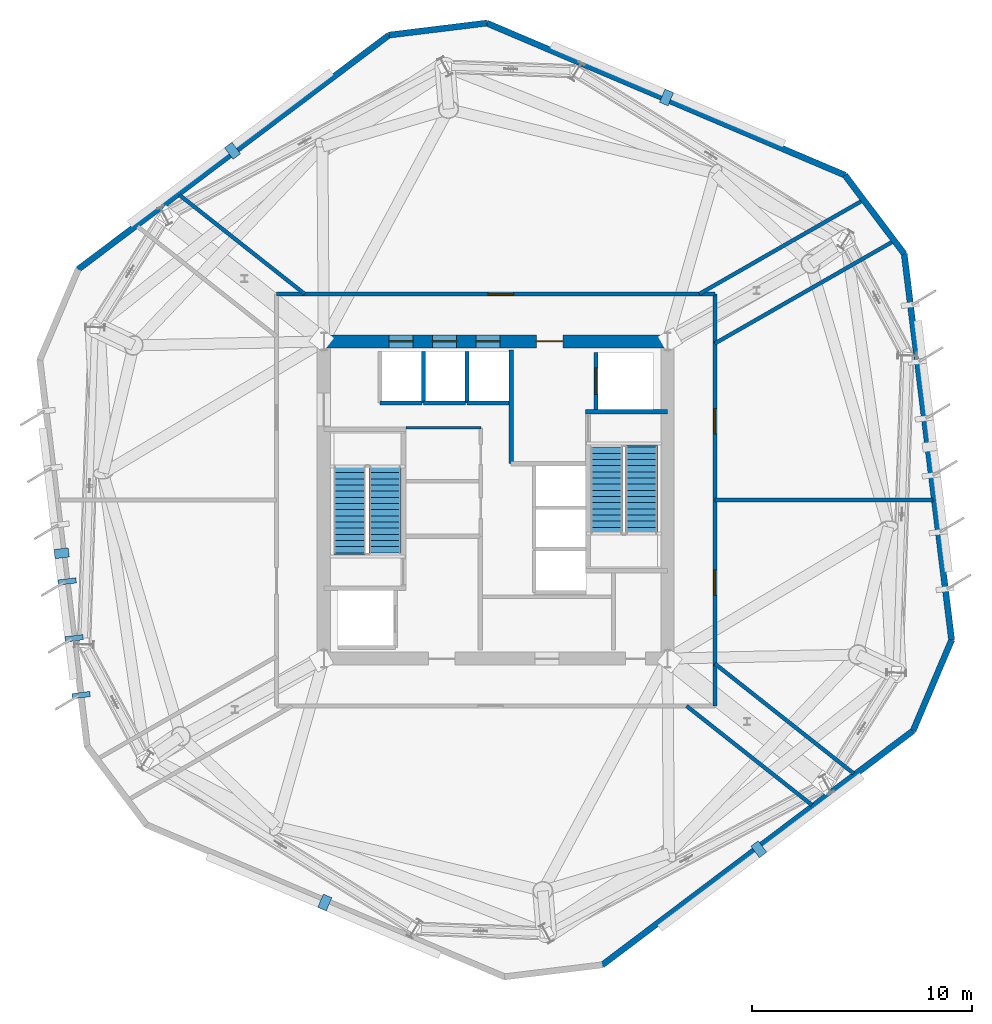
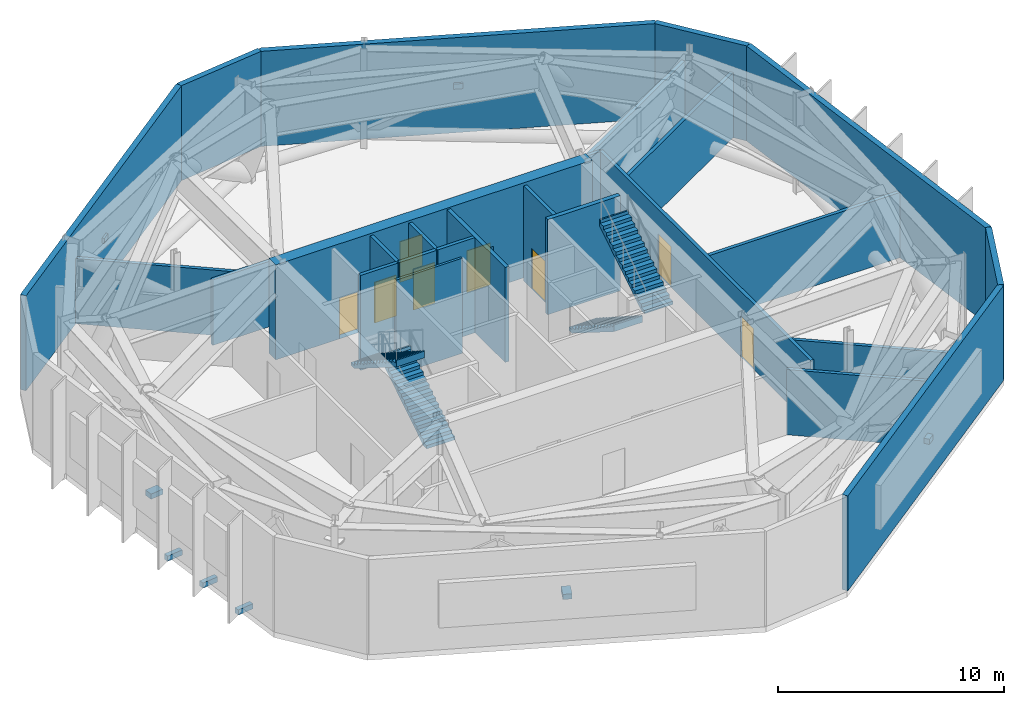
# One storey, part 7 of 11: 25 walls, 8 discrete accessories, 8 doors, 4 stair flights, 8 openings, 2 elements without a shape of their own.
"""IFC4 building model written with IfcOpenShell, lengths in metres."""

from ifc_helpers import new_model, si_unit, direction, frame, frame_2d, origin, origin_2d, place, context, subcontext, project, spatial, polyline, rectangle, outline, extrude, material, layer, layer_set, type_object, element, fill, aggregate, save


model = new_model("IFC4")

# Units and contexts
model_context = context("Model", 3, precision=1e-05, world=origin(), true_north=direction((0.0, 1.0)))
body_context = subcontext(model_context, "Body", "Model", "MODEL_VIEW")
ifc_project = project(units=[si_unit("LENGTHUNIT", "METRE"), si_unit("AREAUNIT", "SQUARE_METRE"), si_unit("VOLUMEUNIT", "CUBIC_METRE"), si_unit("PLANEANGLEUNIT", "RADIAN"), si_unit("MASSUNIT", "GRAM", prefix="KILO")], contexts=[model_context])

# Site, building, storey
site_placement = place(None, origin())
site = spatial("IfcSite", under=ifc_project, at=site_placement, CompositionType="ELEMENT")
building_placement = place(site_placement, origin())
building = spatial("IfcBuilding", under=site, at=building_placement, Name="Kranzbogen Civic Tower", CompositionType="ELEMENT")
storey_placement = place(building_placement, frame((0.0, 0.0, 170.39990234375)))
storey = spatial("IfcBuildingStorey", under=building, at=storey_placement, Name="L41", CompositionType="ELEMENT", Elevation=170.39990234375)

# Wall
ifc_material_1 = material(Name="Insulated Metal-Stud Gypsum Partition")
ifc_layer_1 = layer(ifc_material_1, 0.125, Name="Insulated Metal-Stud Gypsum Partition")
ifc_layer_set_1 = layer_set([ifc_layer_1], Name="Insulated Metal-Stud Gypsum Partition")
wall_type_1 = type_object("IfcWallType", Name="Acoustic Inter-Room Partition 125 mm", PredefinedType="PARTITIONING", material=ifc_layer_set_1)
wall_1_placement = place(storey_placement, frame((20.919921875, 28.280029296875, 0.0), z_axis=(0.0, 0.0, 1.0), x_axis=(1.0, 0.0, 0.0)))
element("IfcWall", 1, at=wall_1_placement, inside=storey, type_object=wall_type_1, Name="L41 core auxiliary North wall", PredefinedType="PARTITIONING", context=body_context, shape_type="SweptSolid", body=[
    extrude(rectangle(XDim=3.405029296875, YDim=0.125, at=frame_2d((1.70263671875, 0.0))), origin(), (0.0, 0.0, 1.0), 5.14013671875),
])

# Wall, openings, doors
ifc_material_2 = material(Name="Concrete C55/67", Category="concrete")
ifc_layer_2 = layer(ifc_material_2, 0.60009765625, Name="Concrete C55/67")
ifc_layer_set_2 = layer_set([ifc_layer_2], Name="Concrete C55/67")
wall_type_2 = type_object("IfcWallType", Name="Central Core Shear Wall 600 mm", PredefinedType="SHEAR", material=ifc_layer_set_2)
wall_2_placement = place(storey_placement, frame((33.10009765625, 32.199951171875, 0.0), z_axis=(0.0, 0.0, 1.0), x_axis=(-1.0, 0.0, 0.0)))
wall_2 = element("IfcWall", 2, at=wall_2_placement, inside=storey, type_object=wall_type_2, Name="L41 central core North shear wall", PredefinedType="SHEAR", context=body_context, shape_type="SweptSolid", body=[
    extrude(rectangle(XDim=16.2001953125, YDim=0.60009765625, at=frame_2d((8.10009765625, 0.0))), origin(), (0.0, 0.0, 1.0), 5.14013671875),
])
opening_1_placement = place(wall_2_placement, frame((5.050048828125, 0.0, 0.0)))
opening_1 = element("IfcOpeningElement", 3, at=opening_1_placement, cuts=wall_2, Name="Opening D-EX120", PredefinedType="OPENING", context=body_context, shape_type="SweptSolid", body=[
    extrude(rectangle(XDim=1.199951171875, YDim=2.25, at=frame_2d((0.60009765625, 1.125))), frame((0.0, 0.31005859375, 0.0), z_axis=(0.0, -1.0, 0.0), x_axis=(1.0, 0.0, 0.0)), (0.0, 0.0, 1.0), 0.6201171875),
])
opening_2_placement = place(wall_2_placement, frame((11.85009765625, 0.0, 0.0)))
opening_2 = element("IfcOpeningElement", 4, at=opening_2_placement, cuts=wall_2, Name="Opening LD-MP-01", PredefinedType="OPENING", context=body_context, shape_type="SweptSolid", body=[
    extrude(rectangle(XDim=1.10009765625, YDim=2.199951171875, at=frame_2d((0.550048828125, 1.10009765625))), frame((0.0, 0.31005859375, 0.0), z_axis=(0.0, -1.0, 0.0), x_axis=(1.0, 0.0, 0.0)), (0.0, 0.0, 1.0), 0.6201171875),
])
opening_3_placement = place(wall_2_placement, frame((9.875, 0.0, 0.0)))
opening_3 = element("IfcOpeningElement", 5, at=opening_3_placement, cuts=wall_2, Name="Opening LD-MP-02", PredefinedType="OPENING", context=body_context, shape_type="SweptSolid", body=[
    extrude(rectangle(XDim=1.10009765625, YDim=2.199951171875, at=frame_2d((0.550048828125, 1.10009765625))), frame((0.0, 0.31005859375, 0.0), z_axis=(0.0, -1.0, 0.0), x_axis=(1.0, 0.0, 0.0)), (0.0, 0.0, 1.0), 0.6201171875),
])
opening_4_placement = place(wall_2_placement, frame((7.89990234375, 0.0, 0.0)))
opening_4 = element("IfcOpeningElement", 6, at=opening_4_placement, cuts=wall_2, Name="Opening LD-MP-03", PredefinedType="OPENING", context=body_context, shape_type="SweptSolid", body=[
    extrude(rectangle(XDim=1.10009765625, YDim=2.199951171875, at=frame_2d((0.550048828125, 1.10009765625))), frame((0.0, 0.31005859375, 0.0), z_axis=(0.0, -1.0, 0.0), x_axis=(1.0, 0.0, 0.0)), (0.0, 0.0, 1.0), 0.6201171875),
])
ifc_material_3 = material(Name="Steel S355", Category="steel")
door_type_1 = type_object("IfcDoorType", Name="Exit Passageway Fire Door 1200x2250", OperationType="NOTDEFINED", PredefinedType="DOOR", material=ifc_material_3)
door_1_placement = place(opening_1_placement, origin())
door_1 = element("IfcDoor", 7, at=door_1_placement, inside=storey, type_object=door_type_1, Name="L41 East firefighting lobby corridor door", OperationType="SINGLE_SWING_RIGHT", OverallHeight=2.25, OverallWidth=1.199951171875, PredefinedType="DOOR", context=body_context, shape_type="SweptSolid", body=[
    extrude(rectangle(XDim=1.199951171875, YDim=2.25, at=frame_2d((0.60009765625, 1.125))), frame((0.0, 0.02490234375, 0.0), z_axis=(0.0, -1.0, 0.0), x_axis=(1.0, 0.0, 0.0)), (0.0, 0.0, 1.0), 0.050048828125),
])
fill(opening_1, door_1)
ifc_material_4 = material(Name="Pale Anodised Aluminium", Category="aluminium")
door_type_2 = type_object("IfcDoorType", Name="Passenger Lift Sliding Landing Door 1100x2200", OperationType="DOUBLE_DOOR_SLIDING", PredefinedType="DOOR", material=ifc_material_4)
door_2_placement = place(opening_2_placement, origin())
door_2 = element("IfcDoor", 8, at=door_2_placement, inside=storey, type_object=door_type_2, Name="L41 lift MP-01 sliding landing door", OperationType="DOUBLE_DOOR_SLIDING", OverallHeight=2.199951171875, OverallWidth=1.10009765625, PredefinedType="DOOR", context=body_context, shape_type="SweptSolid", body=[
    extrude(rectangle(XDim=1.10009765625, YDim=2.199951171875, at=frame_2d((0.550048828125, 1.10009765625))), frame((0.0, 0.02490234375, 0.0), z_axis=(0.0, -1.0, 0.0), x_axis=(1.0, 0.0, 0.0)), (0.0, 0.0, 1.0), 0.050048828125),
])
fill(opening_2, door_2)
door_3_placement = place(opening_3_placement, origin())
door_3 = element("IfcDoor", 9, at=door_3_placement, inside=storey, type_object=door_type_2, Name="L41 lift MP-02 sliding landing door", OperationType="DOUBLE_DOOR_SLIDING", OverallHeight=2.199951171875, OverallWidth=1.10009765625, PredefinedType="DOOR", context=body_context, shape_type="SweptSolid", body=[
    extrude(rectangle(XDim=1.10009765625, YDim=2.199951171875, at=frame_2d((0.550048828125, 1.10009765625))), frame((0.0, 0.02490234375, 0.0), z_axis=(0.0, -1.0, 0.0), x_axis=(1.0, 0.0, 0.0)), (0.0, 0.0, 1.0), 0.050048828125),
])
fill(opening_3, door_3)
door_4_placement = place(opening_4_placement, origin())
door_4 = element("IfcDoor", 10, at=door_4_placement, inside=storey, type_object=door_type_2, Name="L41 lift MP-03 sliding landing door", OperationType="DOUBLE_DOOR_SLIDING", OverallHeight=2.199951171875, OverallWidth=1.10009765625, PredefinedType="DOOR", context=body_context, shape_type="SweptSolid", body=[
    extrude(rectangle(XDim=1.10009765625, YDim=2.199951171875, at=frame_2d((0.550048828125, 1.10009765625))), frame((0.0, 0.02490234375, 0.0), z_axis=(0.0, -1.0, 0.0), x_axis=(1.0, 0.0, 0.0)), (0.0, 0.0, 1.0), 0.050048828125),
])
fill(opening_4, door_4)

# Walls
ifc_material_5 = material(Name="Concrete C45/55", Category="concrete")
ifc_layer_3 = layer(ifc_material_5, 0.219970703125, Name="Concrete C45/55")
ifc_layer_set_3 = layer_set([ifc_layer_3], Name="Concrete C45/55")
wall_type_3 = type_object("IfcWallType", Name="Core Internal Stair Structural Wall 220 mm", PredefinedType="SOLIDWALL", material=ifc_layer_set_3)
wall_3_placement = place(storey_placement, frame((29.080078125, 29.010009765625, 0.0), z_axis=(0.0, 0.0, 1.0), x_axis=(1.0, 0.0, 0.0)))
element("IfcWall", 11, at=wall_3_placement, inside=storey, type_object=wall_type_3, Name="L41 ST-T2 North structural stair wall", PredefinedType="SOLIDWALL", context=body_context, shape_type="SweptSolid", body=[
    extrude(rectangle(XDim=3.719970703125, YDim=0.219970703125, at=frame_2d((1.85986328125, 0.0))), origin(), (0.0, 0.0, 1.0), 5.14013671875),
])
ifc_material_6 = material(Name="Gypsum Fireboard and Concrete Block", Category="concrete")
ifc_layer_4 = layer(ifc_material_6, 0.199951171875, Name="Gypsum Fireboard and Concrete Block")
ifc_layer_set_4 = layer_set([ifc_layer_4], Name="Gypsum Fireboard and Concrete Block")
wall_type_4 = type_object("IfcWallType", Name="Fire-Rated Exit Passageway and Stair Wall 200 mm", PredefinedType="PARTITIONING", material=ifc_layer_set_4)
wall_4_placement = place(storey_placement, frame((25.699951171875, 26.64990234375, 0.0), z_axis=(0.0, 0.0, 1.0), x_axis=(0.0, 1.0, 0.0)))
element("IfcWall", 12, at=wall_4_placement, inside=storey, type_object=wall_type_4, Name="L41 East firefighting lobby West wall", PredefinedType="PARTITIONING", context=body_context, shape_type="SweptSolid", body=[
    extrude(rectangle(XDim=5.150146484375, YDim=0.199951171875, at=frame_2d((2.5751953125, 0.0))), origin(), (0.0, 0.0, 1.0), 5.14013671875),
])
ifc_material_7 = material(Name="Gypsum Fireboard Shaftliner")
ifc_layer_5 = layer(ifc_material_7, 0.175048828125, Name="Gypsum Fireboard Shaftliner")
ifc_layer_set_5 = layer_set([ifc_layer_5], Name="Gypsum Fireboard Shaftliner")
wall_type_5 = type_object("IfcWallType", Name="Fire-Rated Lift and Service Shaft Wall 175 mm", PredefinedType="PARTITIONING", material=ifc_layer_set_5)
for number, where, z_axis, x_axis, name in (
    (13, (19.75, 29.39990234375, 0.0), (0.0, 0.0, 1.0), (1.0, 0.0, 0.0), "L41 lift MP-01 rear wall"),
    (14, (21.72509765625, 29.39990234375, 0.0), (0.0, 0.0, 1.0), (1.0, 0.0, 0.0), "L41 lift MP-02 rear wall"),
):
    element("IfcWall", number, at=place(storey_placement, frame(where, z_axis=z_axis, x_axis=x_axis)), inside=storey, type_object=wall_type_5, Name=name, PredefinedType="PARTITIONING", context=body_context, shape_type="SweptSolid", body=[
        extrude(rectangle(XDim=1.89990234375, YDim=0.175048828125, at=frame_2d((0.949951171875, 0.0))), origin(), (0.0, 0.0, 1.0), 5.14013671875),
    ])
wall_5_placement = place(storey_placement, frame((21.72509765625, 29.39990234375, 0.0), z_axis=(0.0, 0.0, 1.0), x_axis=(0.0, 1.0, 0.0)))
element("IfcWall", 15, at=wall_5_placement, inside=storey, type_object=wall_type_5, Name="L41 lift MP-02 side wall", PredefinedType="PARTITIONING", context=body_context, shape_type="SweptSolid", body=[
    extrude(rectangle(XDim=2.35009765625, YDim=0.175048828125, at=frame_2d((1.175048828125, 0.0))), origin(), (0.0, 0.0, 1.0), 5.14013671875),
])
wall_6_placement = place(storey_placement, frame((23.699951171875, 29.39990234375, 0.0), z_axis=(0.0, 0.0, 1.0), x_axis=(1.0, 0.0, 0.0)))
element("IfcWall", 16, at=wall_6_placement, inside=storey, type_object=wall_type_5, Name="L41 lift MP-03 rear wall", PredefinedType="PARTITIONING", context=body_context, shape_type="SweptSolid", body=[
    extrude(rectangle(XDim=1.900146484375, YDim=0.175048828125, at=frame_2d((0.9501953125, 0.0))), origin(), (0.0, 0.0, 1.0), 5.14013671875),
])
wall_7_placement = place(storey_placement, frame((23.699951171875, 29.39990234375, 0.0), z_axis=(0.0, 0.0, 1.0), x_axis=(0.0, 1.0, 0.0)))
element("IfcWall", 17, at=wall_7_placement, inside=storey, type_object=wall_type_5, Name="L41 lift MP-03 side wall", PredefinedType="PARTITIONING", context=body_context, shape_type="SweptSolid", body=[
    extrude(rectangle(XDim=2.35009765625, YDim=0.175048828125, at=frame_2d((1.175048828125, 0.0))), origin(), (0.0, 0.0, 1.0), 5.14013671875),
])

# Wall, opening, door
wall_8_placement = place(storey_placement, frame((29.550048828125, 29.10009765625, 0.0), z_axis=(0.0, 0.0, 1.0), x_axis=(0.0, 1.0, 0.0)))
wall_8 = element("IfcWall", 18, at=wall_8_placement, inside=storey, type_object=wall_type_5, Name="L41 lift FF-02 landing wall", PredefinedType="PARTITIONING", context=body_context, shape_type="SweptSolid", body=[
    extrude(rectangle(XDim=2.599853515625, YDim=0.175048828125, at=frame_2d((1.2998046875, 0.0))), origin(), (0.0, 0.0, 1.0), 5.14013671875),
])
opening_5_placement = place(wall_8_placement, frame((0.699951171875, 0.0, 0.0)))
opening_5 = element("IfcOpeningElement", 19, at=opening_5_placement, cuts=wall_8, Name="Opening LD-FF-02", PredefinedType="OPENING", context=body_context, shape_type="SweptSolid", body=[
    extrude(rectangle(XDim=1.199951171875, YDim=2.199951171875, at=frame_2d((0.60009765625, 1.10009765625))), frame((0.0, 0.09765625, 0.0), z_axis=(0.0, -1.0, 0.0), x_axis=(1.0, 0.0, 0.0)), (0.0, 0.0, 1.0), 0.195068359375),
])
door_type_3 = type_object("IfcDoorType", Name="Firefighting and Stretcher Lift Sliding Landing Door 1200x2200", OperationType="DOUBLE_DOOR_SLIDING", PredefinedType="DOOR", material=ifc_material_4)
door_5_placement = place(opening_5_placement, origin())
door_5 = element("IfcDoor", 20, at=door_5_placement, inside=storey, type_object=door_type_3, Name="L41 lift FF-02 sliding landing door", OperationType="DOUBLE_DOOR_SLIDING", OverallHeight=2.199951171875, OverallWidth=1.199951171875, PredefinedType="DOOR", context=body_context, shape_type="SweptSolid", body=[
    extrude(rectangle(XDim=1.199951171875, YDim=2.199951171875, at=frame_2d((0.60009765625, 1.10009765625))), frame((0.0, 0.02490234375, 0.0), z_axis=(0.0, -1.0, 0.0), x_axis=(1.0, 0.0, 0.0)), (0.0, 0.0, 1.0), 0.050048828125),
])
fill(opening_5, door_5)

wall_9_placement = place(storey_placement, frame((15.050048828125, 34.35009765625, 0.0), z_axis=(0.0, 0.0, 1.0), x_axis=(1.0, 0.0, 0.0)))
wall_9 = element("IfcWall", 21, at=wall_9_placement, inside=storey, type_object=wall_type_5, Name="L41 corridor partition 01", PredefinedType="PARTITIONING", context=body_context, shape_type="SweptSolid", body=[
    extrude(rectangle(XDim=19.89990234375, YDim=0.175048828125, at=frame_2d((9.949951171875, 0.0))), origin(), (0.0, 0.0, 1.0), 3.5400390625),
])
opening_6_placement = place(wall_9_placement, frame((9.611083984375, 0.0, 0.0)))
opening_6 = element("IfcOpeningElement", 22, at=opening_6_placement, cuts=wall_9, Name="Opening D-ST90", PredefinedType="OPENING", context=body_context, shape_type="SweptSolid", body=[
    extrude(rectangle(XDim=1.14990234375, YDim=2.199951171875, at=frame_2d((0.574951171875, 1.10009765625))), frame((0.0, 0.09765625, 0.0), z_axis=(0.0, -1.0, 0.0), x_axis=(1.0, 0.0, 0.0)), (0.0, 0.0, 1.0), 0.195068359375),
])
door_type_4 = type_object("IfcDoorType", Name="Pressurized Stair and Lobby Fire Door 1150x2200", OperationType="NOTDEFINED", PredefinedType="DOOR", material=ifc_material_3)
door_6_placement = place(opening_6_placement, origin())
door_6 = element("IfcDoor", 23, at=door_6_placement, inside=storey, type_object=door_type_4, Name="L41 Smoke Extract Pressurization Plant door", OperationType="SINGLE_SWING_LEFT", OverallHeight=2.199951171875, OverallWidth=1.14990234375, PredefinedType="DOOR", context=body_context, shape_type="SweptSolid", body=[
    extrude(rectangle(XDim=1.14990234375, YDim=2.199951171875, at=frame_2d((0.574951171875, 1.10009765625))), frame((0.0, 0.02490234375, 0.0), z_axis=(0.0, -1.0, 0.0), x_axis=(1.0, 0.0, 0.0)), (0.0, 0.0, 1.0), 0.050048828125),
])
fill(opening_6, door_6)

# Wall, openings, doors
wall_10_placement = place(storey_placement, frame((34.949951171875, 34.35009765625, 0.0), z_axis=(0.0, 0.0, 1.0), x_axis=(0.0, -1.0, 0.0)))
wall_10 = element("IfcWall", 24, at=wall_10_placement, inside=storey, type_object=wall_type_5, Name="L41 corridor partition 02", PredefinedType="PARTITIONING", context=body_context, shape_type="SweptSolid", body=[
    extrude(rectangle(XDim=18.7001953125, YDim=0.175048828125, at=frame_2d((9.35009765625, 0.0))), origin(), (0.0, 0.0, 1.0), 3.5400390625),
])
opening_7_placement = place(wall_10_placement, frame((12.52490234375, 0.0, 0.0)))
opening_7 = element("IfcOpeningElement", 25, at=opening_7_placement, cuts=wall_10, Name="Opening D-ST90", PredefinedType="OPENING", context=body_context, shape_type="SweptSolid", body=[
    extrude(rectangle(XDim=1.14990234375, YDim=2.199951171875, at=frame_2d((0.574951171875, 1.10009765625))), frame((0.0, 0.09765625, 0.0), z_axis=(0.0, -1.0, 0.0), x_axis=(1.0, 0.0, 0.0)), (0.0, 0.0, 1.0), 0.195068359375),
])
opening_8_placement = place(wall_10_placement, frame((5.199951171875, 0.0, 0.0)))
opening_8 = element("IfcOpeningElement", 26, at=opening_8_placement, cuts=wall_10, Name="Opening D-ST90", PredefinedType="OPENING", context=body_context, shape_type="SweptSolid", body=[
    extrude(rectangle(XDim=1.14990234375, YDim=2.199951171875, at=frame_2d((0.574951171875, 1.10009765625))), frame((0.0, 0.09765625, 0.0), z_axis=(0.0, -1.0, 0.0), x_axis=(1.0, 0.0, 0.0)), (0.0, 0.0, 1.0), 0.195068359375),
])
door_7_placement = place(opening_7_placement, origin())
door_7 = element("IfcDoor", 27, at=door_7_placement, inside=storey, type_object=door_type_4, Name="L41 Chilled Water Heat Exchanger Plant door", OperationType="SINGLE_SWING_LEFT", OverallHeight=2.199951171875, OverallWidth=1.14990234375, PredefinedType="DOOR", context=body_context, shape_type="SweptSolid", body=[
    extrude(rectangle(XDim=1.14990234375, YDim=2.199951171875, at=frame_2d((0.574951171875, 1.10009765625))), frame((0.0, 0.02490234375, 0.0), z_axis=(0.0, -1.0, 0.0), x_axis=(1.0, 0.0, 0.0)), (0.0, 0.0, 1.0), 0.050048828125),
])
fill(opening_7, door_7)
door_8_placement = place(opening_8_placement, origin())
door_8 = element("IfcDoor", 28, at=door_8_placement, inside=storey, type_object=door_type_4, Name="L41 Medium Voltage Switchgear and UPS Room door", OperationType="SINGLE_SWING_RIGHT", OverallHeight=2.199951171875, OverallWidth=1.14990234375, PredefinedType="DOOR", context=body_context, shape_type="SweptSolid", body=[
    extrude(rectangle(XDim=1.14990234375, YDim=2.199951171875, at=frame_2d((0.574951171875, 1.10009765625))), frame((0.0, 0.02490234375, 0.0), z_axis=(0.0, -1.0, 0.0), x_axis=(1.0, 0.0, 0.0)), (0.0, 0.0, 1.0), 0.050048828125),
])
fill(opening_8, door_8)

# Walls
wall_11_placement = place(storey_placement, frame((33.666015625, 15.64990234375, 0.0), z_axis=(0.0, 0.0, 1.0), x_axis=(0.784600993116, -0.620001033549, 0.0)))
element("IfcWall", 29, at=wall_11_placement, inside=storey, type_object=wall_type_5, Name="L41 radial room partition 03", PredefinedType="PARTITIONING", context=body_context, shape_type="SweptSolid", body=[
    extrude(rectangle(XDim=7.25439453125, YDim=0.175048828125, at=frame_2d((3.627197265625, 0.0))), origin(), (0.0, 0.0, 1.0), 3.530029296875),
])
wall_12_placement = place(storey_placement, frame((34.949951171875, 17.56689453125, 0.0), z_axis=(0.0, 0.0, 1.0), x_axis=(0.784559222655, -0.620053889712, 0.0)))
element("IfcWall", 30, at=wall_12_placement, inside=storey, type_object=wall_type_5, Name="L41 radial room partition 04", PredefinedType="PARTITIONING", context=body_context, shape_type="SweptSolid", body=[
    extrude(rectangle(XDim=8.037841796875, YDim=0.175048828125, at=frame_2d((4.01904296875, 0.0))), origin(), (0.0, 0.0, 1.0), 3.530029296875),
])
wall_13_placement = place(storey_placement, frame((34.949951171875, 32.10595703125, 0.0), z_axis=(0.0, 0.0, 1.0), x_axis=(0.867870917182, 0.496789765504, 0.0)))
element("IfcWall", 31, at=wall_13_placement, inside=storey, type_object=wall_type_5, Name="L41 radial room partition 05", PredefinedType="PARTITIONING", context=body_context, shape_type="SweptSolid", body=[
    extrude(rectangle(XDim=9.329833984375, YDim=0.175048828125, at=frame_2d((4.6650390625, 0.0))), origin(), (0.0, 0.0, 1.0), 3.530029296875),
])
wall_14_placement = place(storey_placement, frame((34.240966796875, 34.35009765625, 0.0), z_axis=(0.0, 0.0, 1.0), x_axis=(0.86783997446, 0.49684381724, 0.0)))
element("IfcWall", 32, at=wall_14_placement, inside=storey, type_object=wall_type_5, Name="L41 radial room partition 06", PredefinedType="PARTITIONING", context=body_context, shape_type="SweptSolid", body=[
    extrude(rectangle(XDim=8.539794921875, YDim=0.175048828125, at=frame_2d((4.27001953125, 0.0))), origin(), (0.0, 0.0, 1.0), 3.530029296875),
])
wall_15_placement = place(storey_placement, frame((16.333984375, 34.35009765625, 0.0), z_axis=(0.0, 0.0, 1.0), x_axis=(-0.784600993116, 0.620001033549, 0.0)))
element("IfcWall", 33, at=wall_15_placement, inside=storey, type_object=wall_type_5, Name="L41 radial room partition 07", PredefinedType="PARTITIONING", context=body_context, shape_type="SweptSolid", body=[
    extrude(rectangle(XDim=7.25439453125, YDim=0.175048828125, at=frame_2d((3.627197265625, 0.0))), origin(), (0.0, 0.0, 1.0), 3.530029296875),
])
wall_16_placement = place(storey_placement, frame((34.949951171875, 25.0, 0.0), z_axis=(0.0, 0.0, 1.0), x_axis=(1.0, 0.0, 0.0)))
element("IfcWall", 34, at=wall_16_placement, inside=storey, type_object=wall_type_5, Name="L41 radial room partition 09", PredefinedType="PARTITIONING", context=body_context, shape_type="SweptSolid", body=[
    extrude(rectangle(XDim=9.89794921875, YDim=0.175048828125, at=frame_2d((4.948974609375, 0.0))), origin(), (0.0, 0.0, 1.0), 3.530029296875),
])
ifc_layer_6 = layer(ifc_material_4, 0.280029296875, Name="Pale Anodised Aluminium")
ifc_layer_set_6 = layer_set([ifc_layer_6], Name="Pale Anodised Aluminium")
wall_type_6 = type_object("IfcWallType", Name="Plant Acoustic Insulated Spandrel Wall 280 mm", PredefinedType="STANDARD", material=ifc_layer_set_6)
wall_17_placement = place(storey_placement, frame((40.85693359375, 39.7490234375, 0.0), z_axis=(0.0, 0.0, 1.0), x_axis=(-0.920507541963, 0.390724794695, 0.0)))
element("IfcWall", 35, at=wall_17_placement, inside=storey, type_object=wall_type_6, Name="L41 mechanical plant spandrel wall M1", PredefinedType="STANDARD", context=body_context, shape_type="SweptSolid", body=[
    extrude(rectangle(XDim=17.66748046875, YDim=0.280029296875, at=frame_2d((8.833740234375, 0.0))), origin(), (0.0, 0.0, 1.0), 5.14013671875),
])
wall_18_placement = place(storey_placement, frame((24.593994140625, 46.652099609375, 0.0), z_axis=(0.0, 0.0, 1.0), x_axis=(-0.992565806089, -0.121709163922, 0.0)))
element("IfcWall", 36, at=wall_18_placement, inside=storey, type_object=wall_type_6, Name="L41 mechanical plant spandrel wall C1", PredefinedType="STANDARD", context=body_context, shape_type="SweptSolid", body=[
    extrude(rectangle(XDim=4.47119140625, YDim=0.280029296875, at=frame_2d((2.235595703125, 0.0))), origin(), (0.0, 0.0, 1.0), 5.14013671875),
])
for number, where, z_axis, x_axis, name in (
    (37, (20.156005859375, 46.10791015625, 0.0), (0.0, 0.0, 1.0), (-0.798606661406, -0.601853304684, 0.0), "L41 mechanical plant spandrel wall M2"),
    (38, (29.843994140625, 3.89208984375, 0.0), (0.0, 0.0, 1.0), (0.798606661406, 0.601853304684, 0.0), "L41 mechanical plant spandrel wall M5"),
):
    element("IfcWall", number, at=place(storey_placement, frame(where, z_axis=z_axis, x_axis=x_axis)), inside=storey, type_object=wall_type_6, Name=name, PredefinedType="STANDARD", context=body_context, shape_type="SweptSolid", body=[
        extrude(rectangle(XDim=17.66845703125, YDim=0.280029296875, at=frame_2d((8.834228515625, 0.0))), origin(), (0.0, 0.0, 1.0), 5.14013671875),
    ])
wall_19_placement = place(storey_placement, frame((43.9541015625, 14.52587890625, 0.0), z_axis=(0.0, 0.0, 1.0), x_axis=(0.390733557702, 0.920503822309, 0.0)))
element("IfcWall", 39, at=wall_19_placement, inside=storey, type_object=wall_type_6, Name="L41 mechanical plant spandrel wall C5", PredefinedType="STANDARD", context=body_context, shape_type="SweptSolid", body=[
    extrude(rectangle(XDim=4.470703125, YDim=0.280029296875, at=frame_2d((2.2353515625, 0.0))), origin(), (0.0, 0.0, 1.0), 5.14013671875),
])
wall_20_placement = place(storey_placement, frame((45.700927734375, 18.64111328125, 0.0), z_axis=(0.0, 0.0, 1.0), x_axis=(-0.121845687451, 0.992549055941, 0.0)))
element("IfcWall", 40, at=wall_20_placement, inside=storey, type_object=wall_type_6, Name="L41 mechanical plant spandrel wall M6", PredefinedType="STANDARD", context=body_context, shape_type="SweptSolid", body=[
    extrude(rectangle(XDim=17.66845703125, YDim=0.280029296875, at=frame_2d((8.834228515625, 0.0))), origin(), (0.0, 0.0, 1.0), 5.14013671875),
])
wall_21_placement = place(storey_placement, frame((43.548095703125, 36.177978515625, 0.0), z_axis=(0.0, 0.0, 1.0), x_axis=(-0.601841660076, 0.798615436989, 0.0)))
element("IfcWall", 41, at=wall_21_placement, inside=storey, type_object=wall_type_6, Name="L41 mechanical plant spandrel wall C6", PredefinedType="STANDARD", context=body_context, shape_type="SweptSolid", body=[
    extrude(rectangle(XDim=4.471435546875, YDim=0.280029296875, at=frame_2d((2.23583984375, 0.0))), origin(), (0.0, 0.0, 1.0), 5.14013671875),
])

# Stair, stair flights
ifc_material_8 = material(Name="Precast concrete C40/50", Category="concrete")
stair_type_1 = type_object("IfcStairType", Name="Tower Core Pressurized Dogleg Stair 1450", PredefinedType="HALF_TURN_STAIR", material=ifc_material_8)
stair_1_placement = place(storey_placement, origin())
stair_1 = element("IfcStair", 42, at=stair_1_placement, inside=storey, type_object=stair_type_1, Name="L41 Tower Core Pressurized Stair 1", PredefinedType="HALF_TURN_STAIR")
stair_flight_type = type_object("IfcStairFlightType", Name="Precast Concrete Stair Flight R180", PredefinedType="STRAIGHT", material=ifc_material_8)
stair_flight_1_placement = place(storey_placement, frame((19.97509765625, 22.60009765625, 0.0), z_axis=(0.0, 0.0, 1.0), x_axis=(0.0, 1.0, 0.0)))
stair_flight_1 = element("IfcStairFlight", 43, at=stair_flight_1_placement, type_object=stair_flight_type, Name="ST-T1 flight 1", NumberOfRisers=15, NumberOfTreads=14, PredefinedType="STRAIGHT", RiserHeight=0.18, TreadLength=0.28, context=body_context, shape_type="SweptSolid", body=[
    extrude(outline(polyline([(0.0, 0.0), (0.0, 0.179931640625), (0.280029296875, 0.179931640625), (0.280029296875, 0.360107421875), (0.56005859375, 0.360107421875), (0.56005859375, 0.5400390625), (0.840087890625, 0.5400390625), (0.840087890625, 0.719970703125), (1.1201171875, 0.719970703125), (1.1201171875, 0.89990234375), (1.39990234375, 0.89990234375), (1.39990234375, 1.080078125), (1.679931640625, 1.080078125), (1.679931640625, 1.260009765625), (1.9599609375, 1.260009765625), (1.9599609375, 1.43994140625), (2.239990234375, 1.43994140625), (2.239990234375, 1.6201171875), (2.52001953125, 1.6201171875), (2.52001953125, 1.800048828125), (2.800048828125, 1.800048828125), (2.800048828125, 1.97998046875), (3.080078125, 1.97998046875), (3.080078125, 2.159912109375), (3.360107421875, 2.159912109375), (3.360107421875, 2.340087890625), (3.639892578125, 2.340087890625), (3.639892578125, 2.52001953125), (3.919921875, 2.52001953125), (3.919921875, 2.699951171875), (4.0, 2.699951171875), (4.0, 2.341796875), (0.277099609375, 0.0), (0.0, 0.0)])), frame((0.0, 0.72509765625, 0.0), z_axis=(0.0, -1.0, 0.0), x_axis=(1.0, 0.0, 0.0)), (0.0, 0.0, 1.0), 1.449951171875),
])
stair_flight_2_placement = place(storey_placement, frame((18.375, 26.52001953125, 2.7001953125), z_axis=(0.0, 0.0, 1.0), x_axis=(0.0, -1.0, 0.0)))
stair_flight_2 = element("IfcStairFlight", 44, at=stair_flight_2_placement, type_object=stair_flight_type, Name="ST-T1 flight 2", NumberOfRisers=15, NumberOfTreads=14, PredefinedType="STRAIGHT", RiserHeight=0.18, TreadLength=0.28, context=body_context, shape_type="SweptSolid", body=[
    extrude(outline(polyline([(0.0, 0.0), (0.0, 0.179931640625), (0.280029296875, 0.179931640625), (0.280029296875, 0.360107421875), (0.56005859375, 0.360107421875), (0.56005859375, 0.5400390625), (0.840087890625, 0.5400390625), (0.840087890625, 0.719970703125), (1.1201171875, 0.719970703125), (1.1201171875, 0.89990234375), (1.39990234375, 0.89990234375), (1.39990234375, 1.080078125), (1.679931640625, 1.080078125), (1.679931640625, 1.260009765625), (1.9599609375, 1.260009765625), (1.9599609375, 1.43994140625), (2.239990234375, 1.43994140625), (2.239990234375, 1.6201171875), (2.52001953125, 1.6201171875), (2.52001953125, 1.800048828125), (2.800048828125, 1.800048828125), (2.800048828125, 1.97998046875), (3.080078125, 1.97998046875), (3.080078125, 2.159912109375), (3.360107421875, 2.159912109375), (3.360107421875, 2.340087890625), (3.639892578125, 2.340087890625), (3.639892578125, 2.52001953125), (3.919921875, 2.52001953125), (3.919921875, 2.699951171875), (4.0, 2.699951171875), (4.0, 2.341796875), (0.277099609375, 0.0), (0.0, 0.0)])), frame((0.0, 0.72509765625, 0.0), z_axis=(0.0, -1.0, 0.0), x_axis=(1.0, 0.0, 0.0)), (0.0, 0.0, 1.0), 1.449951171875),
])
aggregate(stair_1, [stair_flight_1, stair_flight_2])

stair_type_2 = type_object("IfcStairType", Name="Tower Core Secondary Dogleg Stair 1450", PredefinedType="HALF_TURN_STAIR", material=ifc_material_8)
stair_2_placement = place(storey_placement, origin())
stair_2 = element("IfcStair", 45, at=stair_2_placement, inside=storey, type_object=stair_type_2, Name="L41 Tower Core Pressurized Stair 2", PredefinedType="HALF_TURN_STAIR")
stair_flight_3_placement = place(storey_placement, frame((30.02490234375, 27.39990234375, 0.0), z_axis=(0.0, 0.0, 1.0), x_axis=(0.0, -1.0, 0.0)))
stair_flight_3 = element("IfcStairFlight", 46, at=stair_flight_3_placement, type_object=stair_flight_type, Name="ST-T2 flight 1", NumberOfRisers=15, NumberOfTreads=14, PredefinedType="STRAIGHT", RiserHeight=0.18, TreadLength=0.28, context=body_context, shape_type="SweptSolid", body=[
    extrude(outline(polyline([(0.0, 0.0), (0.0, 0.179931640625), (0.280029296875, 0.179931640625), (0.280029296875, 0.360107421875), (0.56005859375, 0.360107421875), (0.56005859375, 0.5400390625), (0.840087890625, 0.5400390625), (0.840087890625, 0.719970703125), (1.1201171875, 0.719970703125), (1.1201171875, 0.89990234375), (1.39990234375, 0.89990234375), (1.39990234375, 1.080078125), (1.679931640625, 1.080078125), (1.679931640625, 1.260009765625), (1.9599609375, 1.260009765625), (1.9599609375, 1.43994140625), (2.239990234375, 1.43994140625), (2.239990234375, 1.6201171875), (2.52001953125, 1.6201171875), (2.52001953125, 1.800048828125), (2.800048828125, 1.800048828125), (2.800048828125, 1.97998046875), (3.080078125, 1.97998046875), (3.080078125, 2.159912109375), (3.360107421875, 2.159912109375), (3.360107421875, 2.340087890625), (3.639892578125, 2.340087890625), (3.639892578125, 2.52001953125), (3.919921875, 2.52001953125), (3.919921875, 2.699951171875), (4.0, 2.699951171875), (4.0, 2.341796875), (0.277099609375, 0.0), (0.0, 0.0)])), frame((0.0, 0.72509765625, 0.0), z_axis=(0.0, -1.0, 0.0), x_axis=(1.0, 0.0, 0.0)), (0.0, 0.0, 1.0), 1.449951171875),
])
stair_flight_4_placement = place(storey_placement, frame((31.625, 23.47998046875, 2.7001953125), z_axis=(0.0, 0.0, 1.0), x_axis=(0.0, 1.0, 0.0)))
stair_flight_4 = element("IfcStairFlight", 47, at=stair_flight_4_placement, type_object=stair_flight_type, Name="ST-T2 flight 2", NumberOfRisers=15, NumberOfTreads=14, PredefinedType="STRAIGHT", RiserHeight=0.18, TreadLength=0.28, context=body_context, shape_type="SweptSolid", body=[
    extrude(outline(polyline([(0.0, 0.0), (0.0, 0.179931640625), (0.280029296875, 0.179931640625), (0.280029296875, 0.360107421875), (0.56005859375, 0.360107421875), (0.56005859375, 0.5400390625), (0.840087890625, 0.5400390625), (0.840087890625, 0.719970703125), (1.1201171875, 0.719970703125), (1.1201171875, 0.89990234375), (1.39990234375, 0.89990234375), (1.39990234375, 1.080078125), (1.679931640625, 1.080078125), (1.679931640625, 1.260009765625), (1.9599609375, 1.260009765625), (1.9599609375, 1.43994140625), (2.239990234375, 1.43994140625), (2.239990234375, 1.6201171875), (2.52001953125, 1.6201171875), (2.52001953125, 1.800048828125), (2.800048828125, 1.800048828125), (2.800048828125, 1.97998046875), (3.080078125, 1.97998046875), (3.080078125, 2.159912109375), (3.360107421875, 2.159912109375), (3.360107421875, 2.340087890625), (3.639892578125, 2.340087890625), (3.639892578125, 2.52001953125), (3.919921875, 2.52001953125), (3.919921875, 2.699951171875), (4.0, 2.699951171875), (4.0, 2.341796875), (0.277099609375, 0.0), (0.0, 0.0)])), frame((0.0, 0.72509765625, 0.0), z_axis=(0.0, -1.0, 0.0), x_axis=(1.0, 0.0, 0.0)), (0.0, 0.0, 1.0), 1.449951171875),
])
aggregate(stair_2, [stair_flight_3, stair_flight_4])

# Discrete accessories
discrete_accessory_type = type_object("IfcDiscreteAccessoryType", Name="Structural Curtain-Wall Fin Support Bracket", PredefinedType="BRACKET", material=ifc_material_3)
for number, where, z_axis, x_axis, name in (
    (48, (32.757080078125, 43.27392578125, 2.43017578125), (0.0, 0.0, 1.0), (0.390731128489, 0.920504853452, 0.0), "L41 louvre mounting bracket 1"),
    (49, (13.052978515625, 40.85498046875, 2.43017578125), (0.0, 0.0, 1.0), (-0.601815023152, 0.798635510047, 0.0), "L41 louvre mounting bracket 2"),
    (50, (5.2958984375, 22.5810546875, 2.43017578125), (0.0, 0.0, 1.0), (-0.992546151641, -0.121869343405, 0.0), "L41 louvre mounting bracket 3"),
):
    element("IfcDiscreteAccessory", number, at=place(storey_placement, frame(where, z_axis=z_axis, x_axis=x_axis)), inside=storey, type_object=discrete_accessory_type, Name=name, PredefinedType="BRACKET", context=body_context, shape_type="SweptSolid", body=[
        extrude(rectangle(XDim=0.64990234375, YDim=0.419921875, at=origin_2d()), origin(), (0.0, 0.0, 1.0), 0.280029296875),
    ])
for number, where, z_axis, x_axis, name in (
    (51, (5.5458984375, 21.302001953125, -0.25), (0.0, 0.0, 1.0), (-0.992546151641, -0.121869343405, 0.0), "L41 facade fin support bracket F3-4"),
    (52, (5.863037109375, 18.720947265625, -0.25), (0.0, 0.0, 1.0), (-0.992546151641, -0.121869343405, 0.0), "L41 facade fin support bracket F3-5"),
    (53, (6.179931640625, 16.14111328125, -0.25), (0.0, 0.0, 1.0), (-0.992546151641, -0.121869343405, 0.0), "L41 facade fin support bracket F3-6"),
):
    element("IfcDiscreteAccessory", number, at=place(storey_placement, frame(where, z_axis=z_axis, x_axis=x_axis)), inside=storey, type_object=discrete_accessory_type, Name=name, PredefinedType="BRACKET", context=body_context, shape_type="SweptSolid", body=[
        extrude(rectangle(XDim=0.820068359375, YDim=0.239990234375, at=origin_2d()), origin(), (0.0, 0.0, 1.0), 0.280029296875),
    ])
for number, where, z_axis, x_axis, name in (
    (54, (17.242919921875, 6.72607421875, 2.43017578125), (0.0, 0.0, 1.0), (-0.390731128489, -0.920504853452, 0.0), "L41 louvre mounting bracket 4"),
    (55, (36.947021484375, 9.14501953125, 2.43017578125), (0.0, 0.0, 1.0), (0.601815023152, -0.798635510047, 0.0), "L41 louvre mounting bracket 5"),
):
    element("IfcDiscreteAccessory", number, at=place(storey_placement, frame(where, z_axis=z_axis, x_axis=x_axis)), inside=storey, type_object=discrete_accessory_type, Name=name, PredefinedType="BRACKET", context=body_context, shape_type="SweptSolid", body=[
        extrude(rectangle(XDim=0.64990234375, YDim=0.419921875, at=origin_2d()), origin(), (0.0, 0.0, 1.0), 0.280029296875),
    ])

save(model, "model.ifc")
